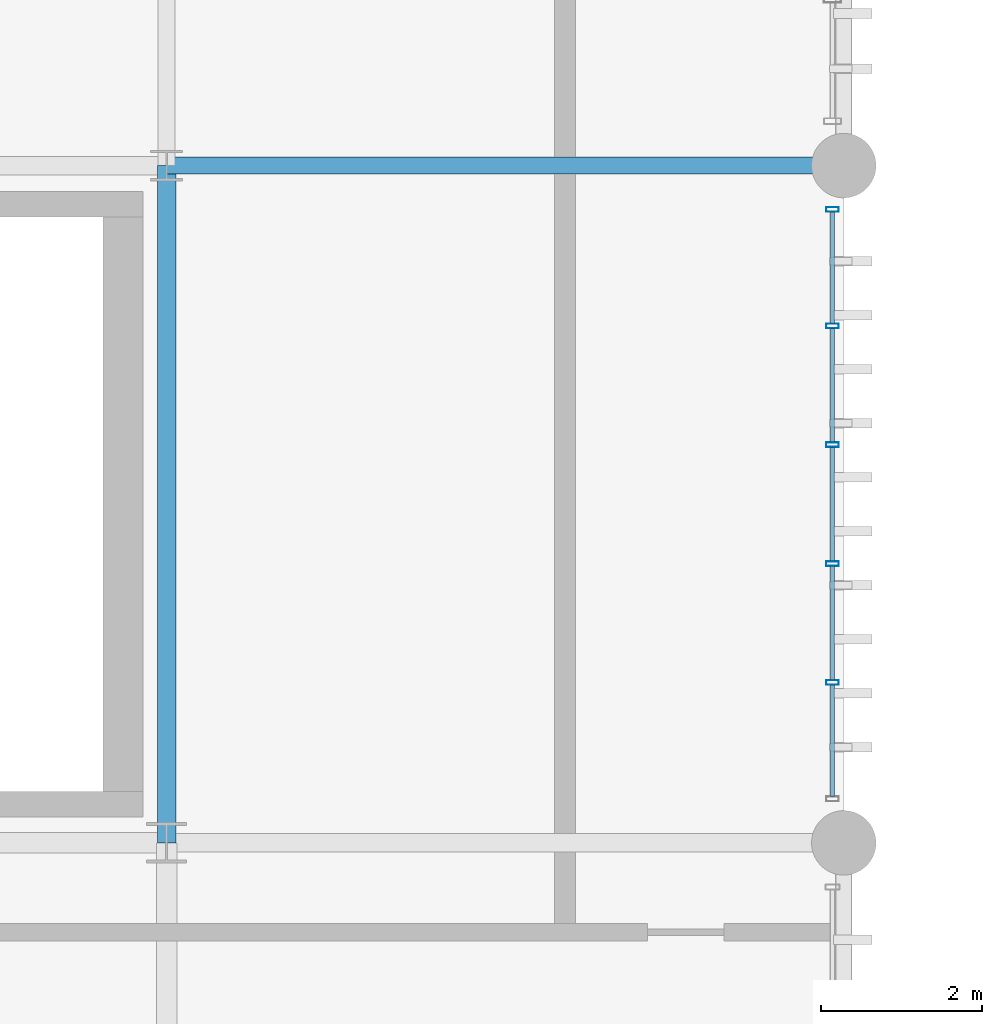
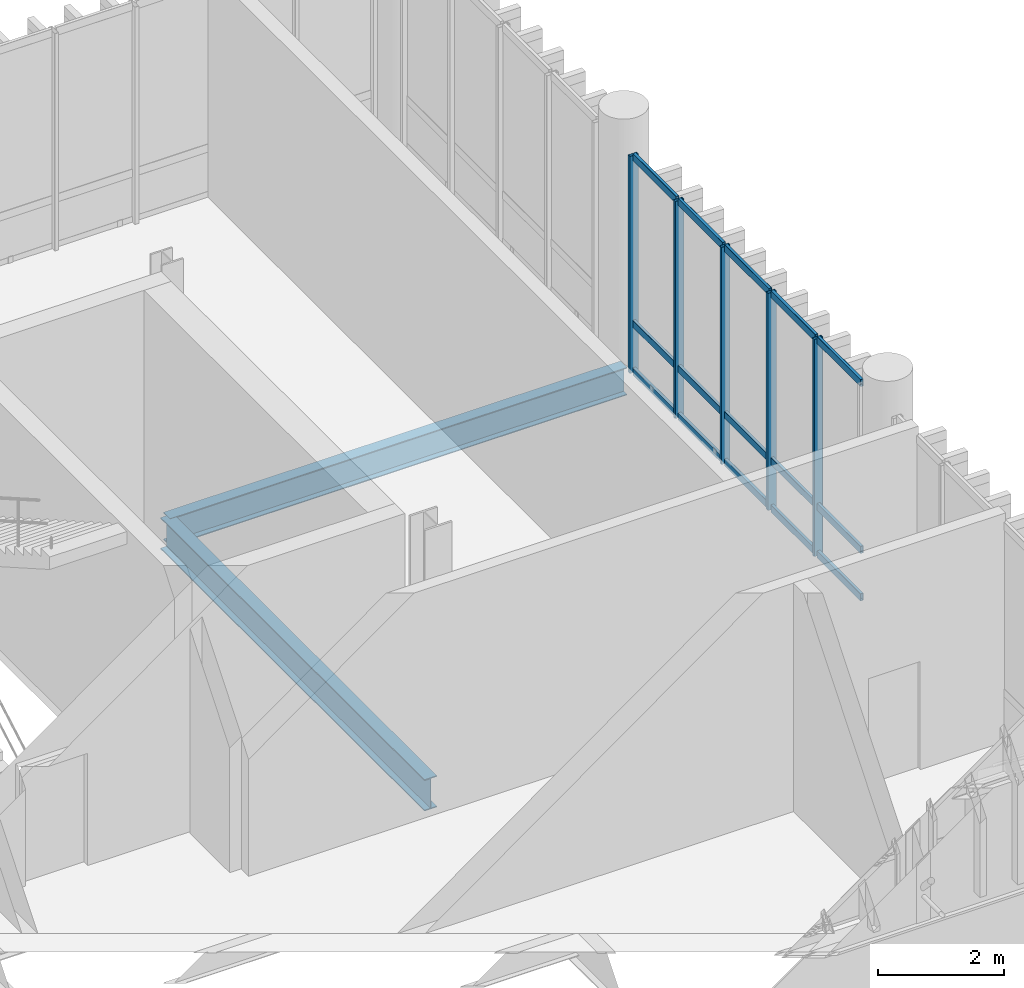
# One storey, part 55 of 109: 20 members, 2 beams, 1 element without a shape of its own.
"""IFC4 building model written with IfcOpenShell, lengths in metres."""

from ifc_helpers import new_model, si_unit, direction, frame, origin_with_axes, origin_2d_with_axis, place, context, subcontext, project, spatial, hollow_rectangle, i_section, extrude, material, material_profile, profile_set, type_object, element, aggregate, save


model = new_model("IFC4")

# Units and contexts
model_context = context("Model", 3, precision=1e-05, world=origin_with_axes(), true_north=direction((0.0, 1.0)))
body_context = subcontext(model_context, "Body", "Model", "MODEL_VIEW")
ifc_project = project(units=[si_unit("LENGTHUNIT", "METRE"), si_unit("AREAUNIT", "SQUARE_METRE"), si_unit("VOLUMEUNIT", "CUBIC_METRE"), si_unit("PLANEANGLEUNIT", "RADIAN"), si_unit("MASSUNIT", "GRAM", prefix="KILO"), si_unit("THERMODYNAMICTEMPERATUREUNIT", "KELVIN")], contexts=[model_context])

# Site, building, storey
site_placement = place(None, origin_with_axes())
site = spatial("IfcSite", under=ifc_project, at=site_placement, CompositionType="ELEMENT")
building_placement = place(site_placement, origin_with_axes())
building = spatial("IfcBuilding", under=site, at=building_placement, Name="Montbau Bow Law Courts", CompositionType="ELEMENT")
storey_placement = place(building_placement, frame((0.0, 0.0, 10.8), z_axis=(0.0, 0.0, 1.0), x_axis=(1.0, 0.0, 0.0)))
storey = spatial("IfcBuildingStorey", under=building, at=storey_placement, Name="L02", CompositionType="ELEMENT", Elevation=10.8)

# Beams
ifc_material_1 = material(Name="Steel CSA G40.21 Grade 350W (350 MPa)", Category="steel")
ifc_material_profile_1 = material_profile(ifc_material_1, i_section(OverallWidth=0.229, OverallDepth=0.612, WebThickness=0.0119, FlangeThickness=0.0196, at=origin_2d_with_axis()), Name="W610X125", Category="Main", Priority=0)
ifc_profile_set_1 = profile_set([ifc_material_profile_1], Name="Steel CSA G40.21 Grade 350W (350 MPa)")
beam_type_1 = type_object("IfcBeamType", Name="B-FLR-05", PredefinedType="BEAM", material=ifc_profile_set_1)
beam_1_placement = place(None, frame((88.8, 46.2, 10.254), z_axis=(0.0, 1.0, 0.0), x_axis=(-1.0, 0.0, 0.0)))
element("IfcBeam", 1, at=beam_1_placement, inside=storey, type_object=beam_type_1, Name="BM-L02-S0870:bm2_0873", PredefinedType="BEAM", context=body_context, shape_type="SweptSolid", body=[
    extrude(i_section(OverallWidth=0.229, OverallDepth=0.612, WebThickness=0.0119, FlangeThickness=0.0196, at=origin_2d_with_axis()), origin_with_axes(), (0.0, 0.0, 1.0), 8.4),
])
ifc_material_profile_2 = material_profile(ifc_material_1, i_section(OverallWidth=0.21, OverallDepth=0.537, WebThickness=0.0109, FlangeThickness=0.0174, at=origin_2d_with_axis()), Name="W530X101", Category="Main", Priority=0)
ifc_profile_set_2 = profile_set([ifc_material_profile_2], Name="Steel CSA G40.21 Grade 350W (350 MPa)")
beam_type_2 = type_object("IfcBeamType", Name="B-FLR-06", PredefinedType="BEAM", material=ifc_profile_set_2)
beam_2_placement = place(None, frame((88.8, 54.6, 10.292), z_axis=(1.0, 0.0, 0.0), x_axis=(0.0, 1.0, 0.0)))
element("IfcBeam", 2, at=beam_2_placement, inside=storey, type_object=beam_type_2, Name="BM-L02-S0850:bm2_0853", PredefinedType="BEAM", context=body_context, shape_type="SweptSolid", body=[
    extrude(i_section(OverallWidth=0.21, OverallDepth=0.537, WebThickness=0.0109, FlangeThickness=0.0174, at=origin_2d_with_axis()), origin_with_axes(), (0.0, 0.0, 1.0), 8.4),
])

# Curtain wall, members
ifc_material_2 = material(Name="Thermally Broken Extruded Aluminium AA 6063-T6", Category="aluminium")
curtain_wall_type = type_object("IfcCurtainWallType", Name="CW-CRM-01", PredefinedType="NOTDEFINED", material=ifc_material_2)
curtain_wall_placement = place(None, frame((97.06, 46.715, 10.8), z_axis=(0.0, 0.0, 1.0), x_axis=(1.0, 0.0, 0.0)))
curtain_wall = element("IfcCurtainWall", 3, at=curtain_wall_placement, inside=storey, type_object=curtain_wall_type, Name="CW-L02-173:cw_0173", PredefinedType="NOTDEFINED")
ifc_material_profile_3 = material_profile(ifc_material_2, hollow_rectangle(XDim=0.06, YDim=0.16, WallThickness=0.004, InnerFilletRadius=0.008, OuterFilletRadius=0.004, at=origin_2d_with_axis()), Name="CWM-160X60", Category="Main", Priority=0)
ifc_profile_set_3 = profile_set([ifc_material_profile_3], Name="Thermally Broken Extruded Aluminium AA 6063-T6")
member_type_1 = type_object("IfcMemberType", Name="M-MUL-03", PredefinedType="MULLION", material=ifc_profile_set_3)
member_1_placement = place(None, frame((97.06, 48.189, 10.8), z_axis=(0.0, 0.0, 1.0), x_axis=(0.0, 1.0, 0.0)))
member_1 = element("IfcMember", 4, at=member_1_placement, type_object=member_type_1, Name="CW-L02-173-M02:cw_0173_M02", PredefinedType="MULLION", context=body_context, shape_type="SweptSolid", body=[
    extrude(hollow_rectangle(XDim=0.06, YDim=0.16, WallThickness=0.004, InnerFilletRadius=0.008, OuterFilletRadius=0.004, at=origin_2d_with_axis()), origin_with_axes(), (0.0, 0.0, 1.0), 4.22),
])
member_2_placement = place(None, frame((97.06, 49.663, 10.8), z_axis=(0.0, 0.0, 1.0), x_axis=(0.0, 1.0, 0.0)))
member_2 = element("IfcMember", 5, at=member_2_placement, type_object=member_type_1, Name="CW-L02-173-M03:cw_0173_M03", PredefinedType="MULLION", context=body_context, shape_type="SweptSolid", body=[
    extrude(hollow_rectangle(XDim=0.06, YDim=0.16, WallThickness=0.004, InnerFilletRadius=0.008, OuterFilletRadius=0.004, at=origin_2d_with_axis()), origin_with_axes(), (0.0, 0.0, 1.0), 4.22),
])
member_3_placement = place(None, frame((97.06, 51.137, 10.8), z_axis=(0.0, 0.0, 1.0), x_axis=(0.0, 1.0, 0.0)))
member_3 = element("IfcMember", 6, at=member_3_placement, type_object=member_type_1, Name="CW-L02-173-M04:cw_0173_M04", PredefinedType="MULLION", context=body_context, shape_type="SweptSolid", body=[
    extrude(hollow_rectangle(XDim=0.06, YDim=0.16, WallThickness=0.004, InnerFilletRadius=0.008, OuterFilletRadius=0.004, at=origin_2d_with_axis()), origin_with_axes(), (0.0, 0.0, 1.0), 4.22),
])
member_4_placement = place(None, frame((97.06, 52.611, 10.8), z_axis=(0.0, 0.0, 1.0), x_axis=(0.0, 1.0, 0.0)))
member_4 = element("IfcMember", 7, at=member_4_placement, type_object=member_type_1, Name="CW-L02-173-M05:cw_0173_M05", PredefinedType="MULLION", context=body_context, shape_type="SweptSolid", body=[
    extrude(hollow_rectangle(XDim=0.06, YDim=0.16, WallThickness=0.004, InnerFilletRadius=0.008, OuterFilletRadius=0.004, at=origin_2d_with_axis()), origin_with_axes(), (0.0, 0.0, 1.0), 4.22),
])
member_5_placement = place(None, frame((97.06, 54.055, 10.8), z_axis=(0.0, 0.0, 1.0), x_axis=(0.0, 1.0, 0.0)))
member_5 = element("IfcMember", 8, at=member_5_placement, type_object=member_type_1, Name="CW-L02-173-M06:cw_0173_M06", PredefinedType="MULLION", context=body_context, shape_type="SweptSolid", body=[
    extrude(hollow_rectangle(XDim=0.06, YDim=0.16, WallThickness=0.004, InnerFilletRadius=0.008, OuterFilletRadius=0.004, at=origin_2d_with_axis()), origin_with_axes(), (0.0, 0.0, 1.0), 4.22),
])
ifc_material_profile_4 = material_profile(ifc_material_2, hollow_rectangle(XDim=0.055, YDim=0.14, WallThickness=0.004, InnerFilletRadius=0.008, OuterFilletRadius=0.004, at=origin_2d_with_axis()), Name="CWT-140X55", Category="Main", Priority=0)
ifc_profile_set_4 = profile_set([ifc_material_profile_4], Name="Thermally Broken Extruded Aluminium AA 6063-T6")
member_type_2 = type_object("IfcMemberType", Name="M-TRN-02", PredefinedType="USERDEFINED", material=ifc_profile_set_4)
member_6_placement = place(None, frame((97.06, 46.777, 10.828), z_axis=(0.0, 1.0, 0.0), x_axis=(-1.0, 0.0, 0.0)))
member_6 = element("IfcMember", 9, at=member_6_placement, type_object=member_type_2, Name="CW-L02-173-T01-1:cw_0173_T01_1", ObjectType="TRANSOM", PredefinedType="USERDEFINED", context=body_context, shape_type="SweptSolid", body=[
    extrude(hollow_rectangle(XDim=0.055, YDim=0.14, WallThickness=0.004, InnerFilletRadius=0.008, OuterFilletRadius=0.004, at=origin_2d_with_axis()), origin_with_axes(), (0.0, 0.0, 1.0), 1.38),
])
member_7_placement = place(None, frame((97.06, 46.777, 11.75), z_axis=(0.0, 1.0, 0.0), x_axis=(-1.0, 0.0, 0.0)))
member_7 = element("IfcMember", 10, at=member_7_placement, type_object=member_type_2, Name="CW-L02-173-T01-2:cw_0173_T01_2", ObjectType="TRANSOM", PredefinedType="USERDEFINED", context=body_context, shape_type="SweptSolid", body=[
    extrude(hollow_rectangle(XDim=0.055, YDim=0.14, WallThickness=0.004, InnerFilletRadius=0.008, OuterFilletRadius=0.004, at=origin_2d_with_axis()), origin_with_axes(), (0.0, 0.0, 1.0), 1.38),
])
member_8_placement = place(None, frame((97.06, 46.777, 14.992), z_axis=(0.0, 1.0, 0.0), x_axis=(-1.0, 0.0, 0.0)))
member_8 = element("IfcMember", 11, at=member_8_placement, type_object=member_type_2, Name="CW-L02-173-T01-3:cw_0173_T01_3", ObjectType="TRANSOM", PredefinedType="USERDEFINED", context=body_context, shape_type="SweptSolid", body=[
    extrude(hollow_rectangle(XDim=0.055, YDim=0.14, WallThickness=0.004, InnerFilletRadius=0.008, OuterFilletRadius=0.004, at=origin_2d_with_axis()), origin_with_axes(), (0.0, 0.0, 1.0), 1.38),
])
member_9_placement = place(None, frame((97.06, 48.221, 10.828), z_axis=(0.0, 1.0, 0.0), x_axis=(-1.0, 0.0, 0.0)))
member_9 = element("IfcMember", 12, at=member_9_placement, type_object=member_type_2, Name="CW-L02-173-T02-1:cw_0173_T02_1", ObjectType="TRANSOM", PredefinedType="USERDEFINED", context=body_context, shape_type="SweptSolid", body=[
    extrude(hollow_rectangle(XDim=0.055, YDim=0.14, WallThickness=0.004, InnerFilletRadius=0.008, OuterFilletRadius=0.004, at=origin_2d_with_axis()), origin_with_axes(), (0.0, 0.0, 1.0), 1.41),
])
member_10_placement = place(None, frame((97.06, 48.221, 11.75), z_axis=(0.0, 1.0, 0.0), x_axis=(-1.0, 0.0, 0.0)))
member_10 = element("IfcMember", 13, at=member_10_placement, type_object=member_type_2, Name="CW-L02-173-T02-2:cw_0173_T02_2", ObjectType="TRANSOM", PredefinedType="USERDEFINED", context=body_context, shape_type="SweptSolid", body=[
    extrude(hollow_rectangle(XDim=0.055, YDim=0.14, WallThickness=0.004, InnerFilletRadius=0.008, OuterFilletRadius=0.004, at=origin_2d_with_axis()), origin_with_axes(), (0.0, 0.0, 1.0), 1.41),
])
member_11_placement = place(None, frame((97.06, 48.221, 14.992), z_axis=(0.0, 1.0, 0.0), x_axis=(-1.0, 0.0, 0.0)))
member_11 = element("IfcMember", 14, at=member_11_placement, type_object=member_type_2, Name="CW-L02-173-T02-3:cw_0173_T02_3", ObjectType="TRANSOM", PredefinedType="USERDEFINED", context=body_context, shape_type="SweptSolid", body=[
    extrude(hollow_rectangle(XDim=0.055, YDim=0.14, WallThickness=0.004, InnerFilletRadius=0.008, OuterFilletRadius=0.004, at=origin_2d_with_axis()), origin_with_axes(), (0.0, 0.0, 1.0), 1.41),
])
member_12_placement = place(None, frame((97.06, 49.695, 10.828), z_axis=(0.0, 1.0, 0.0), x_axis=(-1.0, 0.0, 0.0)))
member_12 = element("IfcMember", 15, at=member_12_placement, type_object=member_type_2, Name="CW-L02-173-T03-1:cw_0173_T03_1", ObjectType="TRANSOM", PredefinedType="USERDEFINED", context=body_context, shape_type="SweptSolid", body=[
    extrude(hollow_rectangle(XDim=0.055, YDim=0.14, WallThickness=0.004, InnerFilletRadius=0.008, OuterFilletRadius=0.004, at=origin_2d_with_axis()), origin_with_axes(), (0.0, 0.0, 1.0), 1.41),
])
member_13_placement = place(None, frame((97.06, 49.695, 11.75), z_axis=(0.0, 1.0, 0.0), x_axis=(-1.0, 0.0, 0.0)))
member_13 = element("IfcMember", 16, at=member_13_placement, type_object=member_type_2, Name="CW-L02-173-T03-2:cw_0173_T03_2", ObjectType="TRANSOM", PredefinedType="USERDEFINED", context=body_context, shape_type="SweptSolid", body=[
    extrude(hollow_rectangle(XDim=0.055, YDim=0.14, WallThickness=0.004, InnerFilletRadius=0.008, OuterFilletRadius=0.004, at=origin_2d_with_axis()), origin_with_axes(), (0.0, 0.0, 1.0), 1.41),
])
member_14_placement = place(None, frame((97.06, 49.695, 14.992), z_axis=(0.0, 1.0, 0.0), x_axis=(-1.0, 0.0, 0.0)))
member_14 = element("IfcMember", 17, at=member_14_placement, type_object=member_type_2, Name="CW-L02-173-T03-3:cw_0173_T03_3", ObjectType="TRANSOM", PredefinedType="USERDEFINED", context=body_context, shape_type="SweptSolid", body=[
    extrude(hollow_rectangle(XDim=0.055, YDim=0.14, WallThickness=0.004, InnerFilletRadius=0.008, OuterFilletRadius=0.004, at=origin_2d_with_axis()), origin_with_axes(), (0.0, 0.0, 1.0), 1.41),
])
member_15_placement = place(None, frame((97.06, 51.169, 10.828), z_axis=(0.0, 1.0, 0.0), x_axis=(-1.0, 0.0, 0.0)))
member_15 = element("IfcMember", 18, at=member_15_placement, type_object=member_type_2, Name="CW-L02-173-T04-1:cw_0173_T04_1", ObjectType="TRANSOM", PredefinedType="USERDEFINED", context=body_context, shape_type="SweptSolid", body=[
    extrude(hollow_rectangle(XDim=0.055, YDim=0.14, WallThickness=0.004, InnerFilletRadius=0.008, OuterFilletRadius=0.004, at=origin_2d_with_axis()), origin_with_axes(), (0.0, 0.0, 1.0), 1.41),
])
member_16_placement = place(None, frame((97.06, 51.169, 11.75), z_axis=(0.0, 1.0, 0.0), x_axis=(-1.0, 0.0, 0.0)))
member_16 = element("IfcMember", 19, at=member_16_placement, type_object=member_type_2, Name="CW-L02-173-T04-2:cw_0173_T04_2", ObjectType="TRANSOM", PredefinedType="USERDEFINED", context=body_context, shape_type="SweptSolid", body=[
    extrude(hollow_rectangle(XDim=0.055, YDim=0.14, WallThickness=0.004, InnerFilletRadius=0.008, OuterFilletRadius=0.004, at=origin_2d_with_axis()), origin_with_axes(), (0.0, 0.0, 1.0), 1.41),
])
member_17_placement = place(None, frame((97.06, 51.169, 14.992), z_axis=(0.0, 1.0, 0.0), x_axis=(-1.0, 0.0, 0.0)))
member_17 = element("IfcMember", 20, at=member_17_placement, type_object=member_type_2, Name="CW-L02-173-T04-3:cw_0173_T04_3", ObjectType="TRANSOM", PredefinedType="USERDEFINED", context=body_context, shape_type="SweptSolid", body=[
    extrude(hollow_rectangle(XDim=0.055, YDim=0.14, WallThickness=0.004, InnerFilletRadius=0.008, OuterFilletRadius=0.004, at=origin_2d_with_axis()), origin_with_axes(), (0.0, 0.0, 1.0), 1.41),
])
member_18_placement = place(None, frame((97.06, 52.643, 10.828), z_axis=(0.0, 1.0, 0.0), x_axis=(-1.0, 0.0, 0.0)))
member_18 = element("IfcMember", 21, at=member_18_placement, type_object=member_type_2, Name="CW-L02-173-T05-1:cw_0173_T05_1", ObjectType="TRANSOM", PredefinedType="USERDEFINED", context=body_context, shape_type="SweptSolid", body=[
    extrude(hollow_rectangle(XDim=0.055, YDim=0.14, WallThickness=0.004, InnerFilletRadius=0.008, OuterFilletRadius=0.004, at=origin_2d_with_axis()), origin_with_axes(), (0.0, 0.0, 1.0), 1.38),
])
member_19_placement = place(None, frame((97.06, 52.643, 11.75), z_axis=(0.0, 1.0, 0.0), x_axis=(-1.0, 0.0, 0.0)))
member_19 = element("IfcMember", 22, at=member_19_placement, type_object=member_type_2, Name="CW-L02-173-T05-2:cw_0173_T05_2", ObjectType="TRANSOM", PredefinedType="USERDEFINED", context=body_context, shape_type="SweptSolid", body=[
    extrude(hollow_rectangle(XDim=0.055, YDim=0.14, WallThickness=0.004, InnerFilletRadius=0.008, OuterFilletRadius=0.004, at=origin_2d_with_axis()), origin_with_axes(), (0.0, 0.0, 1.0), 1.38),
])
member_20_placement = place(None, frame((97.06, 52.643, 14.992), z_axis=(0.0, 1.0, 0.0), x_axis=(-1.0, 0.0, 0.0)))
member_20 = element("IfcMember", 23, at=member_20_placement, type_object=member_type_2, Name="CW-L02-173-T05-3:cw_0173_T05_3", ObjectType="TRANSOM", PredefinedType="USERDEFINED", context=body_context, shape_type="SweptSolid", body=[
    extrude(hollow_rectangle(XDim=0.055, YDim=0.14, WallThickness=0.004, InnerFilletRadius=0.008, OuterFilletRadius=0.004, at=origin_2d_with_axis()), origin_with_axes(), (0.0, 0.0, 1.0), 1.38),
])
aggregate(curtain_wall, [member_1, member_2, member_3, member_4, member_5, member_6, member_7, member_8, member_9, member_10, member_11, member_12, member_13, member_14, member_15, member_16, member_17, member_18, member_19, member_20])

save(model, "model.ifc")
